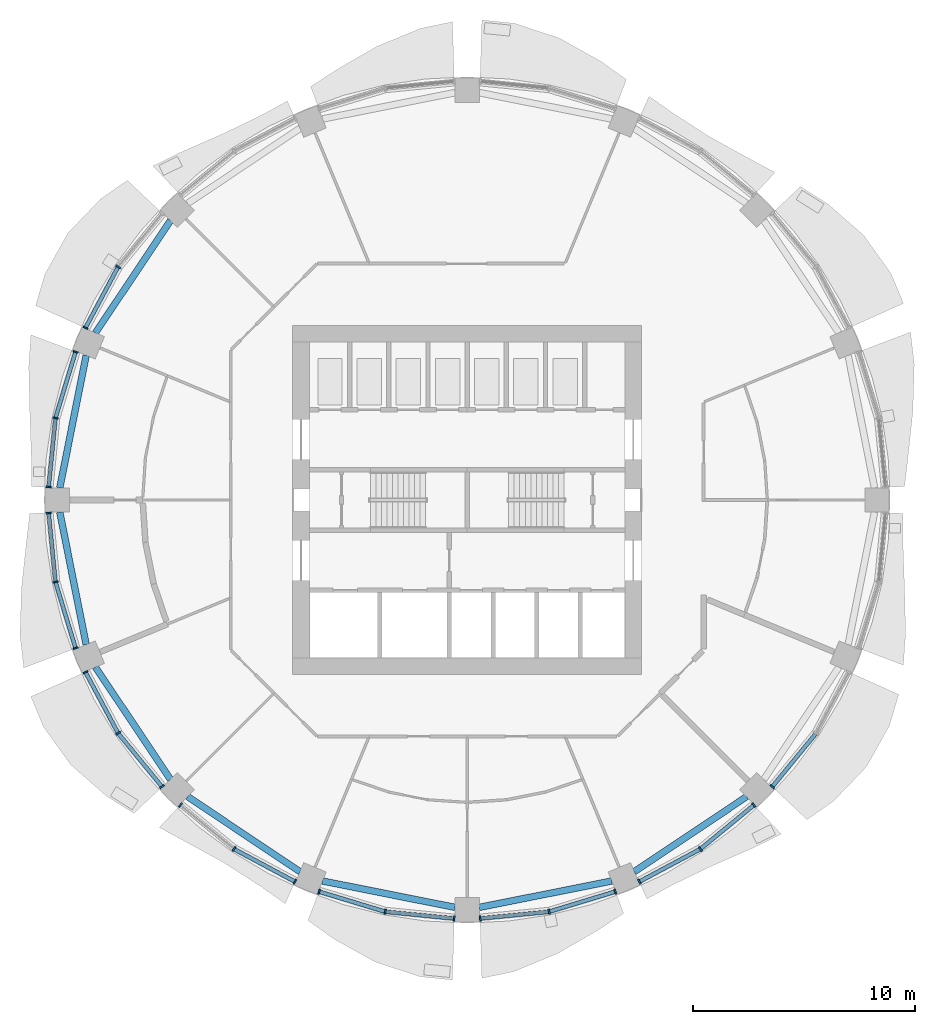
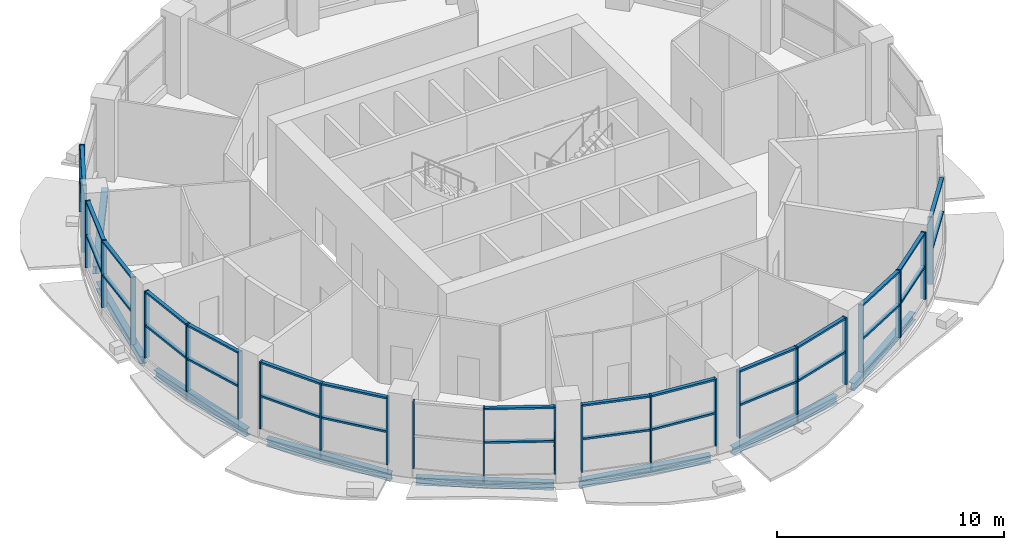
# One storey, part 2 of 13: 54 members, 8 beams, 9 elements without a shape of their own.
"""IFC4 building model written with IfcOpenShell, lengths in metres."""

from ifc_helpers import new_model, si_unit, direction, frame, origin, origin_2d, place, context, subcontext, project, spatial, rectangle, i_section, extrude, material, material_profile, profile_set, type_object, element, aggregate, save


model = new_model("IFC4")

# Units and contexts
model_context = context("Model", 3, precision=1e-05, world=origin(), true_north=direction((0.0, 1.0)))
body_context = subcontext(model_context, "Body", "Model", "MODEL_VIEW")
ifc_project = project(units=[si_unit("LENGTHUNIT", "METRE"), si_unit("AREAUNIT", "SQUARE_METRE"), si_unit("VOLUMEUNIT", "CUBIC_METRE"), si_unit("PLANEANGLEUNIT", "RADIAN"), si_unit("MASSUNIT", "GRAM", prefix="KILO")], contexts=[model_context])

# Site, building, storey
site_placement = place(None, origin())
site = spatial("IfcSite", under=ifc_project, at=site_placement, CompositionType="ELEMENT")
building_placement = place(site_placement, origin())
building = spatial("IfcBuilding", under=site, at=building_placement, Name="Polderwave Tower", CompositionType="ELEMENT")
storey_placement = place(building_placement, frame((0.0, 0.0, 116.550048828125)))
storey = spatial("IfcBuildingStorey", under=building, at=storey_placement, Name="L30", CompositionType="ELEMENT", Elevation=116.550048828125)

# Beams
ifc_material_1 = material(Name="Steel S355", Category="steel")
ifc_material_profile_1 = material_profile(ifc_material_1, i_section(OverallWidth=0.300048828125, OverallDepth=0.39990234375, WebThickness=0.013427734375, FlangeThickness=0.02392578125, at=origin_2d()), Name="HE 400 B")
ifc_profile_set_1 = profile_set([ifc_material_profile_1], Name="Steel S355")
beam_type = type_object("IfcBeamType", Name="RING BEAM HE 400 B", PredefinedType="BEAM", material=ifc_profile_set_1)
beam_1_placement = place(storey_placement, frame((-13.39306640625, 12.615234375, -0.550048828125), z_axis=(-0.555568537713, -0.831470745068, 0.0), x_axis=(0.831470745068, -0.555568537713, 0.0)))
element("IfcBeam", 1, at=beam_1_placement, inside=storey, type_object=beam_type, Name="ST-RB-L30-06", PredefinedType="BEAM", context=body_context, shape_type="SweptSolid", body=[
    extrude(i_section(OverallWidth=0.300048828125, OverallDepth=0.39990234375, WebThickness=0.013427734375, FlangeThickness=0.02392578125, at=origin_2d()), origin(), (0.0, 0.0, 1.0), 6.096923828125),
])
for number, where, z_axis, x_axis, name in (
    (2, (-17.201171875, 6.529541015625, -0.550048828125), (-0.195099501473, -0.980783454451, 0.0), (0.980783454451, -0.195099501473, 0.0), "ST-RB-L30-07"),
    (3, (-18.390625, -0.550048828125, -0.550048828125), (0.195099501473, -0.980783454451, 0.0), (0.980783454451, 0.195099501473, 0.0), "ST-RB-L30-08"),
):
    element("IfcBeam", number, at=place(storey_placement, frame(where, z_axis=z_axis, x_axis=x_axis)), inside=storey, type_object=beam_type, Name=name, PredefinedType="BEAM", context=body_context, shape_type="SweptSolid", body=[
        extrude(i_section(OverallWidth=0.300048828125, OverallDepth=0.39990234375, WebThickness=0.013427734375, FlangeThickness=0.02392578125, at=origin_2d()), origin(), (0.0, 0.0, 1.0), 6.0966796875),
    ])
for number, where, z_axis, x_axis, name in (
    (4, (-16.7802734375, -7.5458984375, -0.550048828125), (0.555568537713, -0.831470745068, 0.0), (0.831470745068, 0.555568537713, 0.0), "ST-RB-L30-09"),
    (5, (-12.615234375, -13.39306640625, -0.550048828125), (0.831470745068, -0.555568537713, 0.0), (0.555568537713, 0.831470745068, 0.0), "ST-RB-L30-10"),
):
    element("IfcBeam", number, at=place(storey_placement, frame(where, z_axis=z_axis, x_axis=x_axis)), inside=storey, type_object=beam_type, Name=name, PredefinedType="BEAM", context=body_context, shape_type="SweptSolid", body=[
        extrude(i_section(OverallWidth=0.300048828125, OverallDepth=0.39990234375, WebThickness=0.013427734375, FlangeThickness=0.02392578125, at=origin_2d()), origin(), (0.0, 0.0, 1.0), 6.096923828125),
    ])
for number, where, z_axis, x_axis, name in (
    (6, (-6.529541015625, -17.201171875, -0.550048828125), (0.980783454451, -0.195099501473, 0.0), (0.195099501473, 0.980783454451, 0.0), "ST-RB-L30-11"),
    (7, (0.550048828125, -18.390625, -0.550048828125), (0.980783454451, 0.195099501473, 0.0), (-0.195099501473, 0.980783454451, 0.0), "ST-RB-L30-12"),
):
    element("IfcBeam", number, at=place(storey_placement, frame(where, z_axis=z_axis, x_axis=x_axis)), inside=storey, type_object=beam_type, Name=name, PredefinedType="BEAM", context=body_context, shape_type="SweptSolid", body=[
        extrude(i_section(OverallWidth=0.300048828125, OverallDepth=0.39990234375, WebThickness=0.013427734375, FlangeThickness=0.02392578125, at=origin_2d()), origin(), (0.0, 0.0, 1.0), 6.0966796875),
    ])
beam_2_placement = place(storey_placement, frame((7.5458984375, -16.7802734375, -0.550048828125), z_axis=(0.831470745068, 0.555568537713, 0.0), x_axis=(-0.555568537713, 0.831470745068, 0.0)))
element("IfcBeam", 8, at=beam_2_placement, inside=storey, type_object=beam_type, Name="ST-RB-L30-13", PredefinedType="BEAM", context=body_context, shape_type="SweptSolid", body=[
    extrude(i_section(OverallWidth=0.300048828125, OverallDepth=0.39990234375, WebThickness=0.013427734375, FlangeThickness=0.02392578125, at=origin_2d()), origin(), (0.0, 0.0, 1.0), 6.096923828125),
])

# Curtain wall, members
ifc_material_2 = material(Name="Aluminium 6063-T6 and glass", Category="aluminium")
curtain_wall_type = type_object("IfcCurtainWallType", Name="Sky floor glazing wall", PredefinedType="NOTDEFINED", material=ifc_material_2)
curtain_wall_1_placement = place(storey_placement, origin())
curtain_wall_1 = element("IfcCurtainWall", 9, at=curtain_wall_1_placement, inside=storey, type_object=curtain_wall_type, Name="CW4 L30 06", PredefinedType="NOTDEFINED")
ifc_material_3 = material(Name="Aluminium 6063-T6", Category="aluminium")
ifc_material_profile_2 = material_profile(ifc_material_3, rectangle(XDim=0.239990234375, YDim=0.074951171875, at=origin_2d()), Name="AL 75x240")
ifc_profile_set_2 = profile_set([ifc_material_profile_2], Name="Aluminium 6063-T6")
member_type_1 = type_object("IfcMemberType", Name="Sky floor glazing mullion 75x240", PredefinedType="MULLION", material=ifc_profile_set_2)
member_1_placement = place(storey_placement, frame((-15.756103515625, 10.528076171875, 0.449951171875), z_axis=(0.0, 0.0, 1.0), x_axis=(0.831432763661, -0.555625376951, 0.0)))
member_1 = element("IfcMember", 10, at=member_1_placement, type_object=member_type_1, Name="CW4 mullion 2", PredefinedType="MULLION", context=body_context, shape_type="SweptSolid", body=[
    extrude(rectangle(XDim=0.239990234375, YDim=0.074951171875, at=origin_2d()), origin(), (0.0, 0.0, 1.0), 3.60009765625),
])
member_2_placement = place(storey_placement, frame((-17.229248046875, 7.772216796875, 0.449951171875), z_axis=(0.0, 0.0, 1.0), x_axis=(0.881888352499, -0.471458305396, 0.0)))
member_2 = element("IfcMember", 11, at=member_2_placement, type_object=member_type_1, Name="CW4 mullion 3", PredefinedType="MULLION", context=body_context, shape_type="SweptSolid", body=[
    extrude(rectangle(XDim=0.239990234375, YDim=0.074951171875, at=origin_2d()), origin(), (0.0, 0.0, 1.0), 3.60009765625),
])

curtain_wall_2_placement = place(storey_placement, origin())
curtain_wall_2 = element("IfcCurtainWall", 12, at=curtain_wall_2_placement, inside=storey, type_object=curtain_wall_type, Name="CW4 L30 07", PredefinedType="NOTDEFINED")
member_3_placement = place(storey_placement, frame((-17.678955078125, 6.68701171875, 0.449951171875), z_axis=(0.0, 0.0, 1.0), x_axis=(0.956933749135, -0.290306389467, 0.0)))
member_3 = element("IfcMember", 13, at=member_3_placement, type_object=member_type_1, Name="CW4 mullion 1", PredefinedType="MULLION", context=body_context, shape_type="SweptSolid", body=[
    extrude(rectangle(XDim=0.239990234375, YDim=0.074951171875, at=origin_2d()), origin(), (0.0, 0.0, 1.0), 3.60009765625),
])
member_4_placement = place(storey_placement, frame((-18.5859375, 3.697021484375, 0.449951171875), z_axis=(0.0, 0.0, 1.0), x_axis=(0.980781534757, -0.195109151706, 0.0)))
member_4 = element("IfcMember", 14, at=member_4_placement, type_object=member_type_1, Name="CW4 mullion 2", PredefinedType="MULLION", context=body_context, shape_type="SweptSolid", body=[
    extrude(rectangle(XDim=0.239990234375, YDim=0.074951171875, at=origin_2d()), origin(), (0.0, 0.0, 1.0), 3.60009765625),
])
member_5_placement = place(storey_placement, frame((-18.892333984375, 0.58740234375, 0.449951171875), z_axis=(0.0, 0.0, 1.0), x_axis=(0.9951831869, -0.098032772643, 0.0)))
member_5 = element("IfcMember", 15, at=member_5_placement, type_object=member_type_1, Name="CW4 mullion 3", PredefinedType="MULLION", context=body_context, shape_type="SweptSolid", body=[
    extrude(rectangle(XDim=0.239990234375, YDim=0.074951171875, at=origin_2d()), origin(), (0.0, 0.0, 1.0), 3.60009765625),
])

curtain_wall_3_placement = place(storey_placement, origin())
curtain_wall_3 = element("IfcCurtainWall", 16, at=curtain_wall_3_placement, inside=storey, type_object=curtain_wall_type, Name="CW4 L30 08", PredefinedType="NOTDEFINED")
member_6_placement = place(storey_placement, frame((-18.892333984375, -0.58740234375, 0.449951171875), z_axis=(0.0, 0.0, 1.0), x_axis=(0.9951831869, 0.098032772643, 0.0)))
member_6 = element("IfcMember", 17, at=member_6_placement, type_object=member_type_1, Name="CW4 mullion 1", PredefinedType="MULLION", context=body_context, shape_type="SweptSolid", body=[
    extrude(rectangle(XDim=0.239990234375, YDim=0.074951171875, at=origin_2d()), origin(), (0.0, 0.0, 1.0), 3.60009765625),
])
member_7_placement = place(storey_placement, frame((-18.5859375, -3.697021484375, 0.449951171875), z_axis=(0.0, 0.0, 1.0), x_axis=(0.980781534757, 0.195109151706, 0.0)))
member_7 = element("IfcMember", 18, at=member_7_placement, type_object=member_type_1, Name="CW4 mullion 2", PredefinedType="MULLION", context=body_context, shape_type="SweptSolid", body=[
    extrude(rectangle(XDim=0.239990234375, YDim=0.074951171875, at=origin_2d()), origin(), (0.0, 0.0, 1.0), 3.60009765625),
])
member_8_placement = place(storey_placement, frame((-17.678955078125, -6.68701171875, 0.449951171875), z_axis=(0.0, 0.0, 1.0), x_axis=(0.956933749135, 0.290306389467, 0.0)))
member_8 = element("IfcMember", 19, at=member_8_placement, type_object=member_type_1, Name="CW4 mullion 3", PredefinedType="MULLION", context=body_context, shape_type="SweptSolid", body=[
    extrude(rectangle(XDim=0.239990234375, YDim=0.074951171875, at=origin_2d()), origin(), (0.0, 0.0, 1.0), 3.60009765625),
])

curtain_wall_4_placement = place(storey_placement, origin())
curtain_wall_4 = element("IfcCurtainWall", 20, at=curtain_wall_4_placement, inside=storey, type_object=curtain_wall_type, Name="CW4 L30 09", PredefinedType="NOTDEFINED")
member_9_placement = place(storey_placement, frame((-17.229248046875, -7.772216796875, 0.449951171875), z_axis=(0.0, 0.0, 1.0), x_axis=(0.881888352499, 0.471458305396, 0.0)))
member_9 = element("IfcMember", 21, at=member_9_placement, type_object=member_type_1, Name="CW4 mullion 1", PredefinedType="MULLION", context=body_context, shape_type="SweptSolid", body=[
    extrude(rectangle(XDim=0.239990234375, YDim=0.074951171875, at=origin_2d()), origin(), (0.0, 0.0, 1.0), 3.60009765625),
])
member_10_placement = place(storey_placement, frame((-15.756103515625, -10.528076171875, 0.449951171875), z_axis=(0.0, 0.0, 1.0), x_axis=(0.831432763661, 0.555625376951, 0.0)))
member_10 = element("IfcMember", 22, at=member_10_placement, type_object=member_type_1, Name="CW4 mullion 2", PredefinedType="MULLION", context=body_context, shape_type="SweptSolid", body=[
    extrude(rectangle(XDim=0.239990234375, YDim=0.074951171875, at=origin_2d()), origin(), (0.0, 0.0, 1.0), 3.60009765625),
])
member_11_placement = place(storey_placement, frame((-13.773681640625, -12.943115234375, 0.449951171875), z_axis=(0.0, 0.0, 1.0), x_axis=(0.77296948442, 0.634443201678, 0.0)))
member_11 = element("IfcMember", 23, at=member_11_placement, type_object=member_type_1, Name="CW4 mullion 3", PredefinedType="MULLION", context=body_context, shape_type="SweptSolid", body=[
    extrude(rectangle(XDim=0.239990234375, YDim=0.074951171875, at=origin_2d()), origin(), (0.0, 0.0, 1.0), 3.60009765625),
])

curtain_wall_5_placement = place(storey_placement, origin())
curtain_wall_5 = element("IfcCurtainWall", 24, at=curtain_wall_5_placement, inside=storey, type_object=curtain_wall_type, Name="CW4 L30 10", PredefinedType="NOTDEFINED")
member_12_placement = place(storey_placement, frame((-12.943115234375, -13.773681640625, 0.449951171875), z_axis=(0.0, 0.0, 1.0), x_axis=(0.634443201678, 0.77296948442, 0.0)))
member_12 = element("IfcMember", 25, at=member_12_placement, type_object=member_type_1, Name="CW4 mullion 1", PredefinedType="MULLION", context=body_context, shape_type="SweptSolid", body=[
    extrude(rectangle(XDim=0.239990234375, YDim=0.074951171875, at=origin_2d()), origin(), (0.0, 0.0, 1.0), 3.60009765625),
])
member_13_placement = place(storey_placement, frame((-10.528076171875, -15.756103515625, 0.449951171875), z_axis=(0.0, 0.0, 1.0), x_axis=(0.555625376951, 0.831432763661, 0.0)))
member_13 = element("IfcMember", 26, at=member_13_placement, type_object=member_type_1, Name="CW4 mullion 2", PredefinedType="MULLION", context=body_context, shape_type="SweptSolid", body=[
    extrude(rectangle(XDim=0.239990234375, YDim=0.074951171875, at=origin_2d()), origin(), (0.0, 0.0, 1.0), 3.60009765625),
])
member_14_placement = place(storey_placement, frame((-7.772216796875, -17.229248046875, 0.449951171875), z_axis=(0.0, 0.0, 1.0), x_axis=(0.471458305396, 0.881888352499, 0.0)))
member_14 = element("IfcMember", 27, at=member_14_placement, type_object=member_type_1, Name="CW4 mullion 3", PredefinedType="MULLION", context=body_context, shape_type="SweptSolid", body=[
    extrude(rectangle(XDim=0.239990234375, YDim=0.074951171875, at=origin_2d()), origin(), (0.0, 0.0, 1.0), 3.60009765625),
])

curtain_wall_6_placement = place(storey_placement, origin())
curtain_wall_6 = element("IfcCurtainWall", 28, at=curtain_wall_6_placement, inside=storey, type_object=curtain_wall_type, Name="CW4 L30 11", PredefinedType="NOTDEFINED")
member_15_placement = place(storey_placement, frame((-6.68701171875, -17.678955078125, 0.449951171875), z_axis=(0.0, 0.0, 1.0), x_axis=(0.290306389467, 0.956933749135, 0.0)))
member_15 = element("IfcMember", 29, at=member_15_placement, type_object=member_type_1, Name="CW4 mullion 1", PredefinedType="MULLION", context=body_context, shape_type="SweptSolid", body=[
    extrude(rectangle(XDim=0.239990234375, YDim=0.074951171875, at=origin_2d()), origin(), (0.0, 0.0, 1.0), 3.60009765625),
])
member_16_placement = place(storey_placement, frame((-3.697021484375, -18.5859375, 0.449951171875), z_axis=(0.0, 0.0, 1.0), x_axis=(0.195109151706, 0.980781534757, 0.0)))
member_16 = element("IfcMember", 30, at=member_16_placement, type_object=member_type_1, Name="CW4 mullion 2", PredefinedType="MULLION", context=body_context, shape_type="SweptSolid", body=[
    extrude(rectangle(XDim=0.239990234375, YDim=0.074951171875, at=origin_2d()), origin(), (0.0, 0.0, 1.0), 3.60009765625),
])
member_17_placement = place(storey_placement, frame((-0.58740234375, -18.892333984375, 0.449951171875), z_axis=(0.0, 0.0, 1.0), x_axis=(0.098032772643, 0.9951831869, 0.0)))
member_17 = element("IfcMember", 31, at=member_17_placement, type_object=member_type_1, Name="CW4 mullion 3", PredefinedType="MULLION", context=body_context, shape_type="SweptSolid", body=[
    extrude(rectangle(XDim=0.239990234375, YDim=0.074951171875, at=origin_2d()), origin(), (0.0, 0.0, 1.0), 3.60009765625),
])

curtain_wall_7_placement = place(storey_placement, origin())
curtain_wall_7 = element("IfcCurtainWall", 32, at=curtain_wall_7_placement, inside=storey, type_object=curtain_wall_type, Name="CW4 L30 12", PredefinedType="NOTDEFINED")
member_18_placement = place(storey_placement, frame((0.58740234375, -18.892333984375, 0.449951171875), z_axis=(0.0, 0.0, 1.0), x_axis=(-0.098032772643, 0.9951831869, 0.0)))
member_18 = element("IfcMember", 33, at=member_18_placement, type_object=member_type_1, Name="CW4 mullion 1", PredefinedType="MULLION", context=body_context, shape_type="SweptSolid", body=[
    extrude(rectangle(XDim=0.239990234375, YDim=0.074951171875, at=origin_2d()), origin(), (0.0, 0.0, 1.0), 3.60009765625),
])
member_19_placement = place(storey_placement, frame((3.697021484375, -18.5859375, 0.449951171875), z_axis=(0.0, 0.0, 1.0), x_axis=(-0.195109151706, 0.980781534757, 0.0)))
member_19 = element("IfcMember", 34, at=member_19_placement, type_object=member_type_1, Name="CW4 mullion 2", PredefinedType="MULLION", context=body_context, shape_type="SweptSolid", body=[
    extrude(rectangle(XDim=0.239990234375, YDim=0.074951171875, at=origin_2d()), origin(), (0.0, 0.0, 1.0), 3.60009765625),
])
member_20_placement = place(storey_placement, frame((6.68701171875, -17.678955078125, 0.449951171875), z_axis=(0.0, 0.0, 1.0), x_axis=(-0.290306389467, 0.956933749135, 0.0)))
member_20 = element("IfcMember", 35, at=member_20_placement, type_object=member_type_1, Name="CW4 mullion 3", PredefinedType="MULLION", context=body_context, shape_type="SweptSolid", body=[
    extrude(rectangle(XDim=0.239990234375, YDim=0.074951171875, at=origin_2d()), origin(), (0.0, 0.0, 1.0), 3.60009765625),
])

curtain_wall_8_placement = place(storey_placement, origin())
curtain_wall_8 = element("IfcCurtainWall", 36, at=curtain_wall_8_placement, inside=storey, type_object=curtain_wall_type, Name="CW4 L30 13", PredefinedType="NOTDEFINED")
member_21_placement = place(storey_placement, frame((7.772216796875, -17.229248046875, 0.449951171875), z_axis=(0.0, 0.0, 1.0), x_axis=(-0.471458305396, 0.881888352499, 0.0)))
member_21 = element("IfcMember", 37, at=member_21_placement, type_object=member_type_1, Name="CW4 mullion 1", PredefinedType="MULLION", context=body_context, shape_type="SweptSolid", body=[
    extrude(rectangle(XDim=0.239990234375, YDim=0.074951171875, at=origin_2d()), origin(), (0.0, 0.0, 1.0), 3.60009765625),
])
member_22_placement = place(storey_placement, frame((10.528076171875, -15.756103515625, 0.449951171875), z_axis=(0.0, 0.0, 1.0), x_axis=(-0.555625376951, 0.831432763661, 0.0)))
member_22 = element("IfcMember", 38, at=member_22_placement, type_object=member_type_1, Name="CW4 mullion 2", PredefinedType="MULLION", context=body_context, shape_type="SweptSolid", body=[
    extrude(rectangle(XDim=0.239990234375, YDim=0.074951171875, at=origin_2d()), origin(), (0.0, 0.0, 1.0), 3.60009765625),
])
member_23_placement = place(storey_placement, frame((12.943115234375, -13.773681640625, 0.449951171875), z_axis=(0.0, 0.0, 1.0), x_axis=(-0.634443201678, 0.77296948442, 0.0)))
member_23 = element("IfcMember", 39, at=member_23_placement, type_object=member_type_1, Name="CW4 mullion 3", PredefinedType="MULLION", context=body_context, shape_type="SweptSolid", body=[
    extrude(rectangle(XDim=0.239990234375, YDim=0.074951171875, at=origin_2d()), origin(), (0.0, 0.0, 1.0), 3.60009765625),
])

# Curtain wall, member
curtain_wall_9_placement = place(storey_placement, origin())
curtain_wall_9 = element("IfcCurtainWall", 40, at=curtain_wall_9_placement, inside=storey, type_object=curtain_wall_type, Name="CW4 L30 14", PredefinedType="NOTDEFINED")
member_24_placement = place(storey_placement, frame((13.773681640625, -12.943115234375, 0.449951171875), z_axis=(0.0, 0.0, 1.0), x_axis=(-0.77296948442, 0.634443201678, 0.0)))
member_24 = element("IfcMember", 41, at=member_24_placement, type_object=member_type_1, Name="CW4 mullion 1", PredefinedType="MULLION", context=body_context, shape_type="SweptSolid", body=[
    extrude(rectangle(XDim=0.239990234375, YDim=0.074951171875, at=origin_2d()), origin(), (0.0, 0.0, 1.0), 3.60009765625),
])

# Member
ifc_material_profile_3 = material_profile(ifc_material_3, rectangle(XDim=0.179931640625, YDim=0.10009765625, at=origin_2d()), Name="AL 100x180")
ifc_profile_set_3 = profile_set([ifc_material_profile_3], Name="Aluminium 6063-T6")
member_type_2 = type_object("IfcMemberType", Name="Sky floor glazing transom 100x180", PredefinedType="USERDEFINED", material=ifc_profile_set_3)
member_25_placement = place(storey_placement, frame((-15.773681640625, 10.494873046875, 2.199951171875), z_axis=(-0.471477100252, -0.881878304495, 0.0), x_axis=(0.881878304495, -0.471477100252, 0.0)))
member_25 = element("IfcMember", 42, at=member_25_placement, type_object=member_type_2, Name="CW4 transom 3", ObjectType="TRANSOM", PredefinedType="USERDEFINED", context=body_context, shape_type="SweptSolid", body=[
    extrude(rectangle(XDim=0.179931640625, YDim=0.10009765625, at=origin_2d()), origin(), (0.0, 0.0, 1.0), 3.050048828125),
])

member_26_placement = place(storey_placement, frame((-15.773681640625, 10.494873046875, 4.0), z_axis=(-0.471477100252, -0.881878304495, 0.0), x_axis=(0.881878304495, -0.471477100252, 0.0)))
member_26 = element("IfcMember", 43, at=member_26_placement, type_object=member_type_2, Name="CW4 transom 4", ObjectType="TRANSOM", PredefinedType="USERDEFINED", context=body_context, shape_type="SweptSolid", body=[
    extrude(rectangle(XDim=0.179931640625, YDim=0.10009765625, at=origin_2d()), origin(), (0.0, 0.0, 1.0), 3.050048828125),
])

aggregate(curtain_wall_1, [member_1, member_2, member_25, member_26])

member_27_placement = place(storey_placement, frame((-17.689697265625, 6.651123046875, 2.199951171875), z_axis=(-0.290365104583, -0.956915934678, 0.0), x_axis=(0.956915934678, -0.290365104583, 0.0)))
member_27 = element("IfcMember", 44, at=member_27_placement, type_object=member_type_2, Name="CW4 transom 1", ObjectType="TRANSOM", PredefinedType="USERDEFINED", context=body_context, shape_type="SweptSolid", body=[
    extrude(rectangle(XDim=0.179931640625, YDim=0.10009765625, at=origin_2d()), origin(), (0.0, 0.0, 1.0), 3.049560546875),
])

member_28_placement = place(storey_placement, frame((-17.689697265625, 6.651123046875, 4.0), z_axis=(-0.290365104583, -0.956915934678, 0.0), x_axis=(0.956915934678, -0.290365104583, 0.0)))
member_28 = element("IfcMember", 45, at=member_28_placement, type_object=member_type_2, Name="CW4 transom 2", ObjectType="TRANSOM", PredefinedType="USERDEFINED", context=body_context, shape_type="SweptSolid", body=[
    extrude(rectangle(XDim=0.179931640625, YDim=0.10009765625, at=origin_2d()), origin(), (0.0, 0.0, 1.0), 3.049560546875),
])

member_29_placement = place(storey_placement, frame((-18.589599609375, 3.65966796875, 2.199951171875), z_axis=(-0.098061131065, -0.995180392981, 0.0), x_axis=(0.995180392981, -0.098061131065, 0.0)))
member_29 = element("IfcMember", 46, at=member_29_placement, type_object=member_type_2, Name="CW4 transom 3", ObjectType="TRANSOM", PredefinedType="USERDEFINED", context=body_context, shape_type="SweptSolid", body=[
    extrude(rectangle(XDim=0.179931640625, YDim=0.10009765625, at=origin_2d()), origin(), (0.0, 0.0, 1.0), 3.0498046875),
])

member_30_placement = place(storey_placement, frame((-18.589599609375, 3.65966796875, 4.0), z_axis=(-0.098061131065, -0.995180392981, 0.0), x_axis=(0.995180392981, -0.098061131065, 0.0)))
member_30 = element("IfcMember", 47, at=member_30_placement, type_object=member_type_2, Name="CW4 transom 4", ObjectType="TRANSOM", PredefinedType="USERDEFINED", context=body_context, shape_type="SweptSolid", body=[
    extrude(rectangle(XDim=0.179931640625, YDim=0.10009765625, at=origin_2d()), origin(), (0.0, 0.0, 1.0), 3.0498046875),
])

aggregate(curtain_wall_2, [member_3, member_4, member_5, member_27, member_28, member_29, member_30])

member_31_placement = place(storey_placement, frame((-18.888671875, -0.62451171875, 2.199951171875), z_axis=(0.098061131065, -0.995180392981, 0.0), x_axis=(0.995180392981, 0.098061131065, 0.0)))
member_31 = element("IfcMember", 48, at=member_31_placement, type_object=member_type_2, Name="CW4 transom 1", ObjectType="TRANSOM", PredefinedType="USERDEFINED", context=body_context, shape_type="SweptSolid", body=[
    extrude(rectangle(XDim=0.179931640625, YDim=0.10009765625, at=origin_2d()), origin(), (0.0, 0.0, 1.0), 3.0498046875),
])

member_32_placement = place(storey_placement, frame((-18.888671875, -0.62451171875, 4.0), z_axis=(0.098061131065, -0.995180392981, 0.0), x_axis=(0.995180392981, 0.098061131065, 0.0)))
member_32 = element("IfcMember", 49, at=member_32_placement, type_object=member_type_2, Name="CW4 transom 2", ObjectType="TRANSOM", PredefinedType="USERDEFINED", context=body_context, shape_type="SweptSolid", body=[
    extrude(rectangle(XDim=0.179931640625, YDim=0.10009765625, at=origin_2d()), origin(), (0.0, 0.0, 1.0), 3.0498046875),
])

member_33_placement = place(storey_placement, frame((-18.5751953125, -3.73291015625, 2.199951171875), z_axis=(0.290365104583, -0.956915934678, 0.0), x_axis=(0.956915934678, 0.290365104583, 0.0)))
member_33 = element("IfcMember", 50, at=member_33_placement, type_object=member_type_2, Name="CW4 transom 3", ObjectType="TRANSOM", PredefinedType="USERDEFINED", context=body_context, shape_type="SweptSolid", body=[
    extrude(rectangle(XDim=0.179931640625, YDim=0.10009765625, at=origin_2d()), origin(), (0.0, 0.0, 1.0), 3.049560546875),
])

member_34_placement = place(storey_placement, frame((-18.5751953125, -3.73291015625, 4.0), z_axis=(0.290365104583, -0.956915934678, 0.0), x_axis=(0.956915934678, 0.290365104583, 0.0)))
member_34 = element("IfcMember", 51, at=member_34_placement, type_object=member_type_2, Name="CW4 transom 4", ObjectType="TRANSOM", PredefinedType="USERDEFINED", context=body_context, shape_type="SweptSolid", body=[
    extrude(rectangle(XDim=0.179931640625, YDim=0.10009765625, at=origin_2d()), origin(), (0.0, 0.0, 1.0), 3.049560546875),
])

aggregate(curtain_wall_3, [member_6, member_7, member_8, member_31, member_32, member_33, member_34])

member_35_placement = place(storey_placement, frame((-17.211669921875, -7.80517578125, 2.199951171875), z_axis=(0.471477100252, -0.881878304495, 0.0), x_axis=(0.881878304495, 0.471477100252, 0.0)))
member_35 = element("IfcMember", 52, at=member_35_placement, type_object=member_type_2, Name="CW4 transom 1", ObjectType="TRANSOM", PredefinedType="USERDEFINED", context=body_context, shape_type="SweptSolid", body=[
    extrude(rectangle(XDim=0.179931640625, YDim=0.10009765625, at=origin_2d()), origin(), (0.0, 0.0, 1.0), 3.050048828125),
])

member_36_placement = place(storey_placement, frame((-17.211669921875, -7.80517578125, 4.0), z_axis=(0.471477100252, -0.881878304495, 0.0), x_axis=(0.881878304495, 0.471477100252, 0.0)))
member_36 = element("IfcMember", 53, at=member_36_placement, type_object=member_type_2, Name="CW4 transom 2", ObjectType="TRANSOM", PredefinedType="USERDEFINED", context=body_context, shape_type="SweptSolid", body=[
    extrude(rectangle(XDim=0.179931640625, YDim=0.10009765625, at=origin_2d()), origin(), (0.0, 0.0, 1.0), 3.050048828125),
])

member_37_placement = place(storey_placement, frame((-15.732177734375, -10.556884765625, 2.199951171875), z_axis=(0.634409849984, -0.772996857849, 0.0), x_axis=(0.772996857849, 0.634409849984, 0.0)))
member_37 = element("IfcMember", 54, at=member_37_placement, type_object=member_type_2, Name="CW4 transom 3", ObjectType="TRANSOM", PredefinedType="USERDEFINED", context=body_context, shape_type="SweptSolid", body=[
    extrude(rectangle(XDim=0.179931640625, YDim=0.10009765625, at=origin_2d()), origin(), (0.0, 0.0, 1.0), 3.04931640625),
])

member_38_placement = place(storey_placement, frame((-15.732177734375, -10.556884765625, 4.0), z_axis=(0.634409849984, -0.772996857849, 0.0), x_axis=(0.772996857849, 0.634409849984, 0.0)))
member_38 = element("IfcMember", 55, at=member_38_placement, type_object=member_type_2, Name="CW4 transom 4", ObjectType="TRANSOM", PredefinedType="USERDEFINED", context=body_context, shape_type="SweptSolid", body=[
    extrude(rectangle(XDim=0.179931640625, YDim=0.10009765625, at=origin_2d()), origin(), (0.0, 0.0, 1.0), 3.04931640625),
])

aggregate(curtain_wall_4, [member_9, member_10, member_11, member_35, member_36, member_37, member_38])

member_39_placement = place(storey_placement, frame((-10.494873046875, -15.773681640625, 2.199951171875), z_axis=(0.881878304495, -0.471477100252, 0.0), x_axis=(0.471477100252, 0.881878304495, 0.0)))
member_39 = element("IfcMember", 56, at=member_39_placement, type_object=member_type_2, Name="CW4 transom 3", ObjectType="TRANSOM", PredefinedType="USERDEFINED", context=body_context, shape_type="SweptSolid", body=[
    extrude(rectangle(XDim=0.179931640625, YDim=0.10009765625, at=origin_2d()), origin(), (0.0, 0.0, 1.0), 3.050048828125),
])

member_40_placement = place(storey_placement, frame((-10.494873046875, -15.773681640625, 4.0), z_axis=(0.881878304495, -0.471477100252, 0.0), x_axis=(0.471477100252, 0.881878304495, 0.0)))
member_40 = element("IfcMember", 57, at=member_40_placement, type_object=member_type_2, Name="CW4 transom 4", ObjectType="TRANSOM", PredefinedType="USERDEFINED", context=body_context, shape_type="SweptSolid", body=[
    extrude(rectangle(XDim=0.179931640625, YDim=0.10009765625, at=origin_2d()), origin(), (0.0, 0.0, 1.0), 3.050048828125),
])

aggregate(curtain_wall_5, [member_12, member_13, member_14, member_39, member_40])

member_41_placement = place(storey_placement, frame((-6.651123046875, -17.689697265625, 2.199951171875), z_axis=(0.956915934678, -0.290365104583, 0.0), x_axis=(0.290365104583, 0.956915934678, 0.0)))
member_41 = element("IfcMember", 58, at=member_41_placement, type_object=member_type_2, Name="CW4 transom 1", ObjectType="TRANSOM", PredefinedType="USERDEFINED", context=body_context, shape_type="SweptSolid", body=[
    extrude(rectangle(XDim=0.179931640625, YDim=0.10009765625, at=origin_2d()), origin(), (0.0, 0.0, 1.0), 3.049560546875),
])

member_42_placement = place(storey_placement, frame((-6.651123046875, -17.689697265625, 4.0), z_axis=(0.956915934678, -0.290365104583, 0.0), x_axis=(0.290365104583, 0.956915934678, 0.0)))
member_42 = element("IfcMember", 59, at=member_42_placement, type_object=member_type_2, Name="CW4 transom 2", ObjectType="TRANSOM", PredefinedType="USERDEFINED", context=body_context, shape_type="SweptSolid", body=[
    extrude(rectangle(XDim=0.179931640625, YDim=0.10009765625, at=origin_2d()), origin(), (0.0, 0.0, 1.0), 3.049560546875),
])

member_43_placement = place(storey_placement, frame((-3.65966796875, -18.589599609375, 2.199951171875), z_axis=(0.995180392981, -0.098061131065, 0.0), x_axis=(0.098061131065, 0.995180392981, 0.0)))
member_43 = element("IfcMember", 60, at=member_43_placement, type_object=member_type_2, Name="CW4 transom 3", ObjectType="TRANSOM", PredefinedType="USERDEFINED", context=body_context, shape_type="SweptSolid", body=[
    extrude(rectangle(XDim=0.179931640625, YDim=0.10009765625, at=origin_2d()), origin(), (0.0, 0.0, 1.0), 3.0498046875),
])

member_44_placement = place(storey_placement, frame((-3.65966796875, -18.589599609375, 4.0), z_axis=(0.995180392981, -0.098061131065, 0.0), x_axis=(0.098061131065, 0.995180392981, 0.0)))
member_44 = element("IfcMember", 61, at=member_44_placement, type_object=member_type_2, Name="CW4 transom 4", ObjectType="TRANSOM", PredefinedType="USERDEFINED", context=body_context, shape_type="SweptSolid", body=[
    extrude(rectangle(XDim=0.179931640625, YDim=0.10009765625, at=origin_2d()), origin(), (0.0, 0.0, 1.0), 3.0498046875),
])

aggregate(curtain_wall_6, [member_15, member_16, member_17, member_41, member_42, member_43, member_44])

member_45_placement = place(storey_placement, frame((0.62451171875, -18.888671875, 2.199951171875), z_axis=(0.995180392981, 0.098061131065, 0.0), x_axis=(-0.098061131065, 0.995180392981, 0.0)))
member_45 = element("IfcMember", 62, at=member_45_placement, type_object=member_type_2, Name="CW4 transom 1", ObjectType="TRANSOM", PredefinedType="USERDEFINED", context=body_context, shape_type="SweptSolid", body=[
    extrude(rectangle(XDim=0.179931640625, YDim=0.10009765625, at=origin_2d()), origin(), (0.0, 0.0, 1.0), 3.0498046875),
])

member_46_placement = place(storey_placement, frame((0.62451171875, -18.888671875, 4.0), z_axis=(0.995180392981, 0.098061131065, 0.0), x_axis=(-0.098061131065, 0.995180392981, 0.0)))
member_46 = element("IfcMember", 63, at=member_46_placement, type_object=member_type_2, Name="CW4 transom 2", ObjectType="TRANSOM", PredefinedType="USERDEFINED", context=body_context, shape_type="SweptSolid", body=[
    extrude(rectangle(XDim=0.179931640625, YDim=0.10009765625, at=origin_2d()), origin(), (0.0, 0.0, 1.0), 3.0498046875),
])

member_47_placement = place(storey_placement, frame((3.73291015625, -18.5751953125, 2.199951171875), z_axis=(0.956915934678, 0.290365104583, 0.0), x_axis=(-0.290365104583, 0.956915934678, 0.0)))
member_47 = element("IfcMember", 64, at=member_47_placement, type_object=member_type_2, Name="CW4 transom 3", ObjectType="TRANSOM", PredefinedType="USERDEFINED", context=body_context, shape_type="SweptSolid", body=[
    extrude(rectangle(XDim=0.179931640625, YDim=0.10009765625, at=origin_2d()), origin(), (0.0, 0.0, 1.0), 3.049560546875),
])

member_48_placement = place(storey_placement, frame((3.73291015625, -18.5751953125, 4.0), z_axis=(0.956915934678, 0.290365104583, 0.0), x_axis=(-0.290365104583, 0.956915934678, 0.0)))
member_48 = element("IfcMember", 65, at=member_48_placement, type_object=member_type_2, Name="CW4 transom 4", ObjectType="TRANSOM", PredefinedType="USERDEFINED", context=body_context, shape_type="SweptSolid", body=[
    extrude(rectangle(XDim=0.179931640625, YDim=0.10009765625, at=origin_2d()), origin(), (0.0, 0.0, 1.0), 3.049560546875),
])

aggregate(curtain_wall_7, [member_18, member_19, member_20, member_45, member_46, member_47, member_48])

member_49_placement = place(storey_placement, frame((7.80517578125, -17.211669921875, 2.199951171875), z_axis=(0.881878304495, 0.471477100252, 0.0), x_axis=(-0.471477100252, 0.881878304495, 0.0)))
member_49 = element("IfcMember", 66, at=member_49_placement, type_object=member_type_2, Name="CW4 transom 1", ObjectType="TRANSOM", PredefinedType="USERDEFINED", context=body_context, shape_type="SweptSolid", body=[
    extrude(rectangle(XDim=0.179931640625, YDim=0.10009765625, at=origin_2d()), origin(), (0.0, 0.0, 1.0), 3.050048828125),
])

member_50_placement = place(storey_placement, frame((7.80517578125, -17.211669921875, 4.0), z_axis=(0.881878304495, 0.471477100252, 0.0), x_axis=(-0.471477100252, 0.881878304495, 0.0)))
member_50 = element("IfcMember", 67, at=member_50_placement, type_object=member_type_2, Name="CW4 transom 2", ObjectType="TRANSOM", PredefinedType="USERDEFINED", context=body_context, shape_type="SweptSolid", body=[
    extrude(rectangle(XDim=0.179931640625, YDim=0.10009765625, at=origin_2d()), origin(), (0.0, 0.0, 1.0), 3.050048828125),
])

member_51_placement = place(storey_placement, frame((10.556884765625, -15.732177734375, 2.199951171875), z_axis=(0.772996857849, 0.634409849984, 0.0), x_axis=(-0.634409849984, 0.772996857849, 0.0)))
member_51 = element("IfcMember", 68, at=member_51_placement, type_object=member_type_2, Name="CW4 transom 3", ObjectType="TRANSOM", PredefinedType="USERDEFINED", context=body_context, shape_type="SweptSolid", body=[
    extrude(rectangle(XDim=0.179931640625, YDim=0.10009765625, at=origin_2d()), origin(), (0.0, 0.0, 1.0), 3.04931640625),
])

member_52_placement = place(storey_placement, frame((10.556884765625, -15.732177734375, 4.0), z_axis=(0.772996857849, 0.634409849984, 0.0), x_axis=(-0.634409849984, 0.772996857849, 0.0)))
member_52 = element("IfcMember", 69, at=member_52_placement, type_object=member_type_2, Name="CW4 transom 4", ObjectType="TRANSOM", PredefinedType="USERDEFINED", context=body_context, shape_type="SweptSolid", body=[
    extrude(rectangle(XDim=0.179931640625, YDim=0.10009765625, at=origin_2d()), origin(), (0.0, 0.0, 1.0), 3.04931640625),
])

aggregate(curtain_wall_8, [member_21, member_22, member_23, member_49, member_50, member_51, member_52])

member_53_placement = place(storey_placement, frame((13.797607421875, -12.9140625, 2.199951171875), z_axis=(0.634409849984, 0.772996857849, 0.0), x_axis=(-0.772996857849, 0.634409849984, 0.0)))
member_53 = element("IfcMember", 70, at=member_53_placement, type_object=member_type_2, Name="CW4 transom 1", ObjectType="TRANSOM", PredefinedType="USERDEFINED", context=body_context, shape_type="SweptSolid", body=[
    extrude(rectangle(XDim=0.179931640625, YDim=0.10009765625, at=origin_2d()), origin(), (0.0, 0.0, 1.0), 3.04931640625),
])

member_54_placement = place(storey_placement, frame((13.797607421875, -12.9140625, 4.0), z_axis=(0.634409849984, 0.772996857849, 0.0), x_axis=(-0.772996857849, 0.634409849984, 0.0)))
member_54 = element("IfcMember", 71, at=member_54_placement, type_object=member_type_2, Name="CW4 transom 2", ObjectType="TRANSOM", PredefinedType="USERDEFINED", context=body_context, shape_type="SweptSolid", body=[
    extrude(rectangle(XDim=0.179931640625, YDim=0.10009765625, at=origin_2d()), origin(), (0.0, 0.0, 1.0), 3.04931640625),
])

aggregate(curtain_wall_9, [member_24, member_53, member_54])

save(model, "model.ifc")
